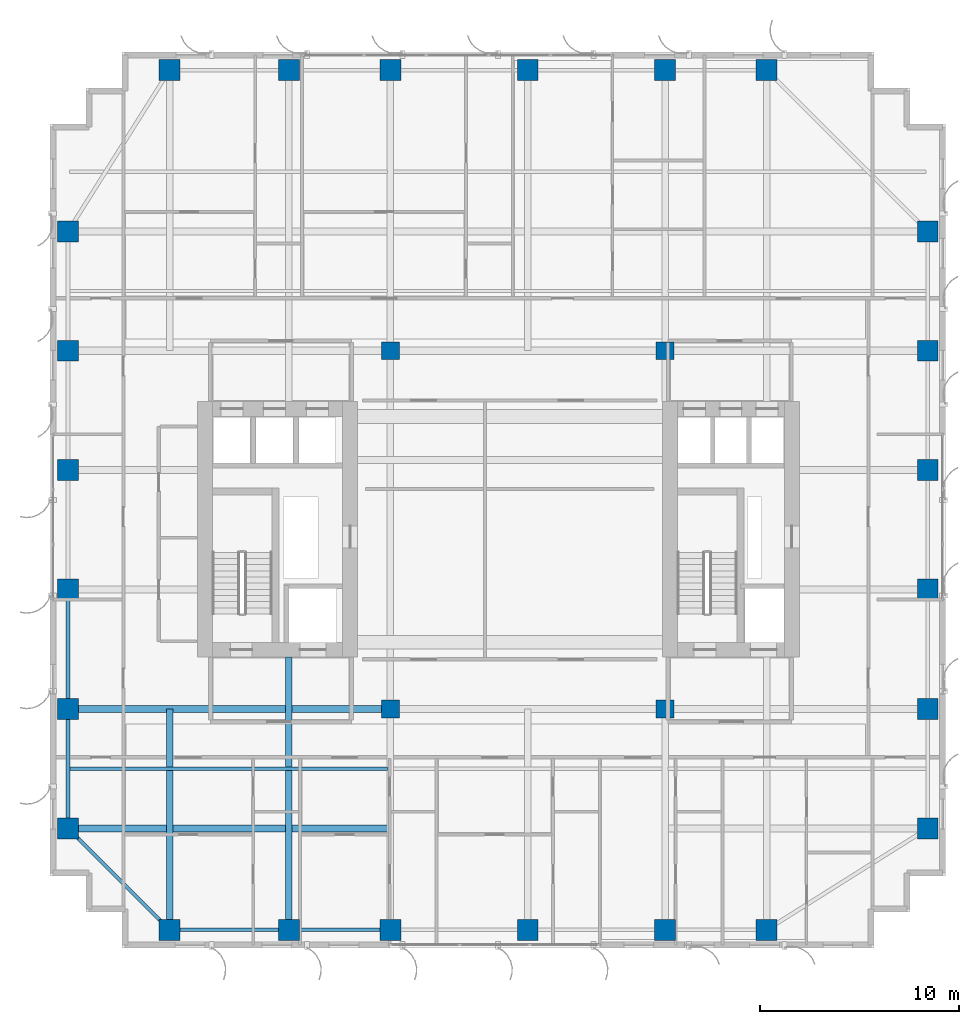
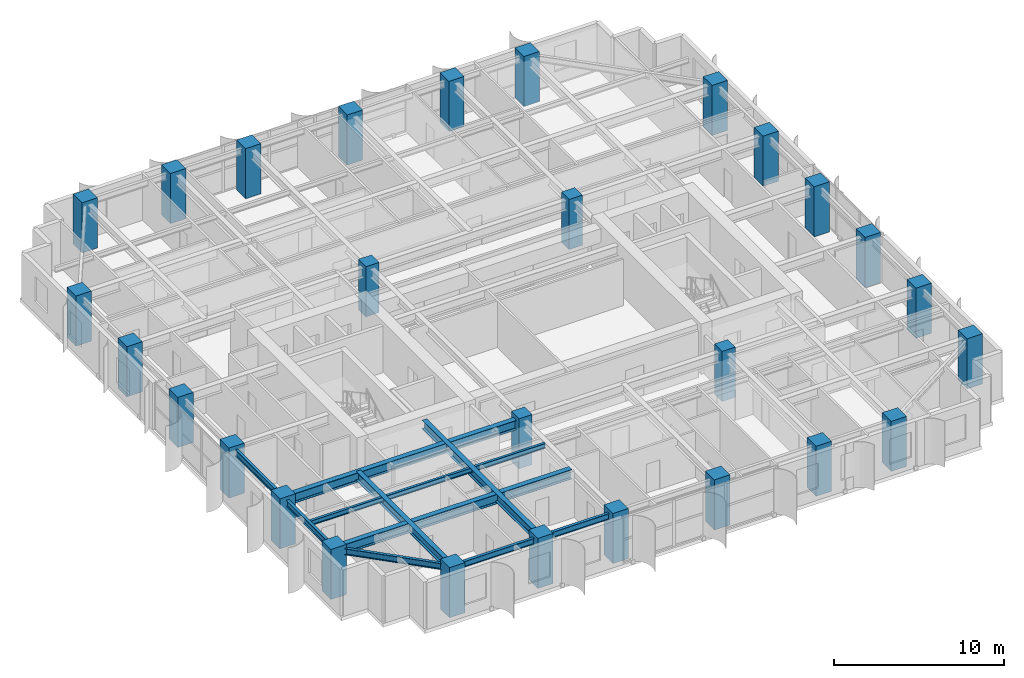
# One storey, part 1 of 22: 28 columns, 10 beams.
"""IFC4 building model written with IfcOpenShell, lengths in metres."""

from ifc_helpers import new_model, si_unit, direction, frame, origin, origin_2d, place, context, subcontext, project, spatial, rectangle, i_section, extrude, source, transform, mapped, material, material_profile, profile_set, type_object, element, save


model = new_model("IFC4")

# Units and contexts
model_context = context("Model", 3, precision=1e-05, world=origin(), true_north=direction((0.0, 1.0)))
body_context = subcontext(model_context, "Body", "Model", "MODEL_VIEW")
ifc_project = project(units=[si_unit("LENGTHUNIT", "METRE"), si_unit("AREAUNIT", "SQUARE_METRE"), si_unit("VOLUMEUNIT", "CUBIC_METRE"), si_unit("PLANEANGLEUNIT", "RADIAN"), si_unit("MASSUNIT", "GRAM", prefix="KILO")], contexts=[model_context])

# Site, building, storey
site_placement = place(None, origin())
site = spatial("IfcSite", under=ifc_project, at=site_placement, CompositionType="ELEMENT")
building_placement = place(site_placement, origin())
building = spatial("IfcBuilding", under=site, at=building_placement, Name="Khoralis Quay Care Tower", CompositionType="ELEMENT")
storey_placement = place(building_placement, frame((0.0, 0.0, 98.10009765625)))
storey = spatial("IfcBuildingStorey", under=building, at=storey_placement, Name="L25", CompositionType="ELEMENT", Elevation=98.10009765625)

# Columns
ifc_material_1 = material(Name="Concrete C65/80", Category="concrete")
ifc_material_profile_1 = material_profile(ifc_material_1, rectangle(XDim=1.050048828125, YDim=1.050048828125, at=origin_2d()), Name="Concrete C65/80")
ifc_profile_set_1 = profile_set([ifc_material_profile_1], Name="Concrete C65/80")
column_type_1 = type_object("IfcColumnType", Name="COL-C1050", PredefinedType="COLUMN", material=ifc_profile_set_1)
shared_shape_1 = source(origin(), body_context, "Body", "SweptSolid", [
    extrude(rectangle(XDim=1.050048828125, YDim=1.050048828125, at=origin_2d()), origin(), (0.0, 0.0, 1.0), 3.599853515625),
])
for number, where, z_axis, x_axis, name in (
    (1, (6.0, 0.89990234375, 0.0), (0.0, 0.0, 1.0), (1.0, 0.0, 0.0), "COL-TWR-L25-01"),
    (2, (6.0, 44.10009765625, 0.0), (0.0, 0.0, 1.0), (1.0, 0.0, 0.0), "COL-TWR-L25-02"),
    (3, (12.0, 0.89990234375, 0.0), (0.0, 0.0, 1.0), (1.0, 0.0, 0.0), "COL-TWR-L25-03"),
    (4, (12.0, 44.10009765625, 0.0), (0.0, 0.0, 1.0), (1.0, 0.0, 0.0), "COL-TWR-L25-04"),
    (5, (17.10009765625, 0.89990234375, 0.0), (0.0, 0.0, 1.0), (1.0, 0.0, 0.0), "COL-TWR-L25-05"),
    (6, (17.10009765625, 44.10009765625, 0.0), (0.0, 0.0, 1.0), (1.0, 0.0, 0.0), "COL-TWR-L25-06"),
    (7, (24.0, 0.89990234375, 0.0), (0.0, 0.0, 1.0), (1.0, 0.0, 0.0), "COL-TWR-L25-07"),
    (8, (24.0, 44.10009765625, 0.0), (0.0, 0.0, 1.0), (1.0, 0.0, 0.0), "COL-TWR-L25-08"),
    (9, (30.89990234375, 0.89990234375, 0.0), (0.0, 0.0, 1.0), (1.0, 0.0, 0.0), "COL-TWR-L25-09"),
    (10, (30.89990234375, 44.10009765625, 0.0), (0.0, 0.0, 1.0), (1.0, 0.0, 0.0), "COL-TWR-L25-10"),
    (11, (36.0, 0.89990234375, 0.0), (0.0, 0.0, 1.0), (1.0, 0.0, 0.0), "COL-TWR-L25-11"),
    (12, (36.0, 44.10009765625, 0.0), (0.0, 0.0, 1.0), (1.0, 0.0, 0.0), "COL-TWR-L25-12"),
    (13, (0.89990234375, 6.0, 0.0), (0.0, 0.0, 1.0), (1.0, 0.0, 0.0), "COL-TWR-L25-13"),
    (14, (44.10009765625, 6.0, 0.0), (0.0, 0.0, 1.0), (1.0, 0.0, 0.0), "COL-TWR-L25-14"),
    (15, (0.89990234375, 12.0, 0.0), (0.0, 0.0, 1.0), (1.0, 0.0, 0.0), "COL-TWR-L25-15"),
    (16, (44.10009765625, 12.0, 0.0), (0.0, 0.0, 1.0), (1.0, 0.0, 0.0), "COL-TWR-L25-16"),
    (17, (0.89990234375, 18.0, 0.0), (0.0, 0.0, 1.0), (1.0, 0.0, 0.0), "COL-TWR-L25-17"),
    (18, (44.10009765625, 18.0, 0.0), (0.0, 0.0, 1.0), (1.0, 0.0, 0.0), "COL-TWR-L25-18"),
    (19, (0.89990234375, 24.0, 0.0), (0.0, 0.0, 1.0), (1.0, 0.0, 0.0), "COL-TWR-L25-19"),
    (20, (44.10009765625, 24.0, 0.0), (0.0, 0.0, 1.0), (1.0, 0.0, 0.0), "COL-TWR-L25-20"),
    (21, (0.89990234375, 30.0, 0.0), (0.0, 0.0, 1.0), (1.0, 0.0, 0.0), "COL-TWR-L25-21"),
    (22, (44.10009765625, 30.0, 0.0), (0.0, 0.0, 1.0), (1.0, 0.0, 0.0), "COL-TWR-L25-22"),
    (23, (0.89990234375, 36.0, 0.0), (0.0, 0.0, 1.0), (1.0, 0.0, 0.0), "COL-TWR-L25-23"),
    (24, (44.10009765625, 36.0, 0.0), (0.0, 0.0, 1.0), (1.0, 0.0, 0.0), "COL-TWR-L25-24"),
):
    element("IfcColumn", number, at=place(storey_placement, frame(where, z_axis=z_axis, x_axis=x_axis)), inside=storey, type_object=column_type_1, Name=name, PredefinedType="COLUMN", context=body_context, shape_type="MappedRepresentation", body=[
        mapped(shared_shape_1, transform((0.0, 0.0, 0.0), scale=1.0)),
    ])
ifc_material_profile_2 = material_profile(ifc_material_1, rectangle(XDim=0.89990234375, YDim=0.89990234375, at=origin_2d()), Name="Concrete C65/80")
ifc_profile_set_2 = profile_set([ifc_material_profile_2], Name="Concrete C65/80")
column_type_2 = type_object("IfcColumnType", Name="COL-C900", PredefinedType="COLUMN", material=ifc_profile_set_2)
shared_shape_2 = source(origin(), body_context, "Body", "SweptSolid", [
    extrude(rectangle(XDim=0.89990234375, YDim=0.89990234375, at=origin_2d()), origin(), (0.0, 0.0, 1.0), 3.599853515625),
])
for number, where, z_axis, x_axis, name in (
    (25, (17.10009765625, 12.0, 0.0), (0.0, 0.0, 1.0), (1.0, 0.0, 0.0), "COL-TWR-L25-25"),
    (26, (17.10009765625, 30.0, 0.0), (0.0, 0.0, 1.0), (1.0, 0.0, 0.0), "COL-TWR-L25-26"),
    (27, (30.89990234375, 12.0, 0.0), (0.0, 0.0, 1.0), (1.0, 0.0, 0.0), "COL-TWR-L25-27"),
    (28, (30.89990234375, 30.0, 0.0), (0.0, 0.0, 1.0), (1.0, 0.0, 0.0), "COL-TWR-L25-28"),
):
    element("IfcColumn", number, at=place(storey_placement, frame(where, z_axis=z_axis, x_axis=x_axis)), inside=storey, type_object=column_type_2, Name=name, PredefinedType="COLUMN", context=body_context, shape_type="MappedRepresentation", body=[
        mapped(shared_shape_2, transform((0.0, 0.0, 0.0), scale=1.0)),
    ])

# Beams
ifc_material_2 = material(Name="Steel S355", Category="steel")
ifc_material_profile_3 = material_profile(ifc_material_2, i_section(OverallWidth=0.18994140625, OverallDepth=0.449951171875, WebThickness=0.009521484375, FlangeThickness=0.0146484375, FilletRadius=0.02099609375, at=origin_2d()), Name="Steel S355")
ifc_profile_set_3 = profile_set([ifc_material_profile_3], Name="Steel S355")
beam_type_1 = type_object("IfcBeamType", Name="BM-IPE450", PredefinedType="SPANDREL", material=ifc_profile_set_3)
shared_shape_3 = source(origin(), body_context, "Body", "SweptSolid", [
    extrude(i_section(OverallWidth=0.18994140625, OverallDepth=0.449951171875, WebThickness=0.009521484375, FlangeThickness=0.0146484375, FilletRadius=0.02099609375, at=origin_2d()), origin(), (0.0, 0.0, 1.0), 6.0),
])
for number, where, z_axis, x_axis, name in (
    (29, (6.0, 0.89990234375, 3.114990234375), (1.0, 0.0, 0.0), (0.0, 1.0, 0.0), "BM-TSP-L25-01"),
    (30, (0.89990234375, 6.0, 3.114990234375), (0.0, 1.0, 0.0), (-1.0, 0.0, 0.0), "BM-TSP-L25-11"),
    (31, (0.89990234375, 12.0, 3.114990234375), (0.0, 1.0, 0.0), (-1.0, 0.0, 0.0), "BM-TSP-L25-12"),
):
    element("IfcBeam", number, at=place(storey_placement, frame(where, z_axis=z_axis, x_axis=x_axis)), inside=storey, type_object=beam_type_1, Name=name, PredefinedType="SPANDREL", context=body_context, shape_type="MappedRepresentation", body=[
        mapped(shared_shape_3, transform((0.0, 0.0, 0.0), scale=1.0)),
    ])
shared_shape_4 = source(origin(), body_context, "Body", "SweptSolid", [
    extrude(i_section(OverallWidth=0.18994140625, OverallDepth=0.449951171875, WebThickness=0.009521484375, FlangeThickness=0.0146484375, FilletRadius=0.02099609375, at=origin_2d()), origin(), (0.0, 0.0, 1.0), 5.10009765625),
])
beam_1_placement = place(storey_placement, frame((12.0, 0.89990234375, 3.114990234375), z_axis=(1.0, 0.0, 0.0), x_axis=(0.0, 1.0, 0.0)))
element("IfcBeam", 32, at=beam_1_placement, inside=storey, type_object=beam_type_1, Name="BM-TSP-L25-02", PredefinedType="SPANDREL", context=body_context, shape_type="MappedRepresentation", body=[
    mapped(shared_shape_4, transform((0.0, 0.0, 0.0), scale=1.0)),
])
shared_shape_5 = source(origin(), body_context, "Body", "SweptSolid", [
    extrude(i_section(OverallWidth=0.18994140625, OverallDepth=0.449951171875, WebThickness=0.009521484375, FlangeThickness=0.0146484375, FilletRadius=0.02099609375, at=origin_2d()), origin(), (0.0, 0.0, 1.0), 7.212646484375),
])
beam_2_placement = place(storey_placement, frame((6.0, 0.89990234375, 3.114990234375), z_axis=(-0.707106781187, 0.707106781187, 0.0), x_axis=(-0.707106781187, -0.707106781187, 0.0)))
element("IfcBeam", 33, at=beam_2_placement, inside=storey, type_object=beam_type_1, Name="BM-TCR-L25-21", PredefinedType="SPANDREL", context=body_context, shape_type="MappedRepresentation", body=[
    mapped(shared_shape_5, transform((0.0, 0.0, 0.0), scale=1.0)),
])
ifc_material_profile_4 = material_profile(ifc_material_2, i_section(OverallWidth=0.35498046875, OverallDepth=0.695068359375, WebThickness=0.015380859375, FlangeThickness=0.02490234375, FilletRadius=0.02001953125, at=origin_2d()), Name="Steel S355")
ifc_profile_set_4 = profile_set([ifc_material_profile_4], Name="Steel S355")
beam_type_2 = type_object("IfcBeamType", Name="BM-W690X217", PredefinedType="BEAM", material=ifc_profile_set_4)
shared_shape_6 = source(origin(), body_context, "Body", "SweptSolid", [
    extrude(i_section(OverallWidth=0.35498046875, OverallDepth=0.695068359375, WebThickness=0.015380859375, FlangeThickness=0.02490234375, FilletRadius=0.02001953125, at=origin_2d()), origin(), (0.0, 0.0, 1.0), 16.049560546875),
])
beam_3_placement = place(storey_placement, frame((0.89990234375, 6.0, 2.992431640625), z_axis=(1.0, 0.0, 0.0), x_axis=(0.0, 1.0, 0.0)))
element("IfcBeam", 34, at=beam_3_placement, inside=storey, type_object=beam_type_2, Name="BM-TGXW-L25-60", PredefinedType="BEAM", context=body_context, shape_type="MappedRepresentation", body=[
    mapped(shared_shape_6, transform((0.0, 0.0, 0.0), scale=1.0)),
])
shared_shape_7 = source(origin(), body_context, "Body", "SweptSolid", [
    extrude(i_section(OverallWidth=0.35498046875, OverallDepth=0.695068359375, WebThickness=0.015380859375, FlangeThickness=0.02490234375, FilletRadius=0.02001953125, at=origin_2d()), origin(), (0.0, 0.0, 1.0), 16.2001953125),
])
beam_4_placement = place(storey_placement, frame((0.89990234375, 12.0, 2.992431640625), z_axis=(1.0, 0.0, 0.0), x_axis=(0.0, 1.0, 0.0)))
element("IfcBeam", 35, at=beam_4_placement, inside=storey, type_object=beam_type_2, Name="BM-TGXW-L25-120", PredefinedType="BEAM", context=body_context, shape_type="MappedRepresentation", body=[
    mapped(shared_shape_7, transform((0.0, 0.0, 0.0), scale=1.0)),
])
ifc_material_profile_5 = material_profile(ifc_material_2, i_section(OverallWidth=0.324951171875, OverallDepth=0.615966796875, WebThickness=0.013916015625, FlangeThickness=0.021484375, FilletRadius=0.01806640625, at=origin_2d()), Name="Steel S355")
ifc_profile_set_5 = profile_set([ifc_material_profile_5], Name="Steel S355")
beam_type_3 = type_object("IfcBeamType", Name="BM-W610X174", PredefinedType="BEAM", material=ifc_profile_set_5)
shared_shape_8 = source(origin(), body_context, "Body", "SweptSolid", [
    extrude(i_section(OverallWidth=0.324951171875, OverallDepth=0.615966796875, WebThickness=0.013916015625, FlangeThickness=0.021484375, FilletRadius=0.01806640625, at=origin_2d()), origin(), (0.0, 0.0, 1.0), 11.10009765625),
])
beam_5_placement = place(storey_placement, frame((6.0, 0.89990234375, 3.031982421875), z_axis=(0.0, 1.0, 0.0), x_axis=(-1.0, 0.0, 0.0)))
element("IfcBeam", 36, at=beam_5_placement, inside=storey, type_object=beam_type_3, Name="BM-TGYS-L25-60", PredefinedType="BEAM", context=body_context, shape_type="MappedRepresentation", body=[
    mapped(shared_shape_8, transform((0.0, 0.0, 0.0), scale=1.0)),
])
ifc_material_profile_6 = material_profile(ifc_material_2, i_section(OverallWidth=0.1708984375, OverallDepth=0.35498046875, WebThickness=0.007080078125, FlangeThickness=0.01171875, FilletRadius=0.012939453125, at=origin_2d()), Name="Steel S355")
ifc_profile_set_6 = profile_set([ifc_material_profile_6], Name="Steel S355")
beam_type_4 = type_object("IfcBeamType", Name="BM-W360X51", PredefinedType="JOIST", material=ifc_profile_set_6)
shared_shape_9 = source(origin(), body_context, "Body", "SweptSolid", [
    extrude(i_section(OverallWidth=0.1708984375, OverallDepth=0.35498046875, WebThickness=0.007080078125, FlangeThickness=0.01171875, FilletRadius=0.012939453125, at=origin_2d()), origin(), (0.0, 0.0, 1.0), 15.968505859375),
])
beam_6_placement = place(storey_placement, frame((0.98095703125, 9.0, 3.162353515625), z_axis=(1.0, 0.0, 0.0), x_axis=(0.0, 1.0, 0.0)))
element("IfcBeam", 37, at=beam_6_placement, inside=storey, type_object=beam_type_4, Name="BM-TJS-L25-25", PredefinedType="JOIST", context=body_context, shape_type="MappedRepresentation", body=[
    mapped(shared_shape_9, transform((0.0, 0.0, 0.0), scale=1.0)),
])
shared_shape_10 = source(origin(), body_context, "Body", "SweptSolid", [
    extrude(i_section(OverallWidth=0.324951171875, OverallDepth=0.615966796875, WebThickness=0.013916015625, FlangeThickness=0.021484375, FilletRadius=0.01806640625, at=origin_2d()), origin(), (0.0, 0.0, 1.0), 13.7021484375),
])
beam_7_placement = place(storey_placement, frame((12.0, 0.89990234375, 3.031982421875), z_axis=(0.0, 1.0, 0.0), x_axis=(-1.0, 0.0, 0.0)))
element("IfcBeam", 38, at=beam_7_placement, inside=storey, type_object=beam_type_3, Name="BM-TGYS-L25-120", PredefinedType="BEAM", context=body_context, shape_type="MappedRepresentation", body=[
    mapped(shared_shape_10, transform((0.0, 0.0, 0.0), scale=1.0)),
])

save(model, "model.ifc")
